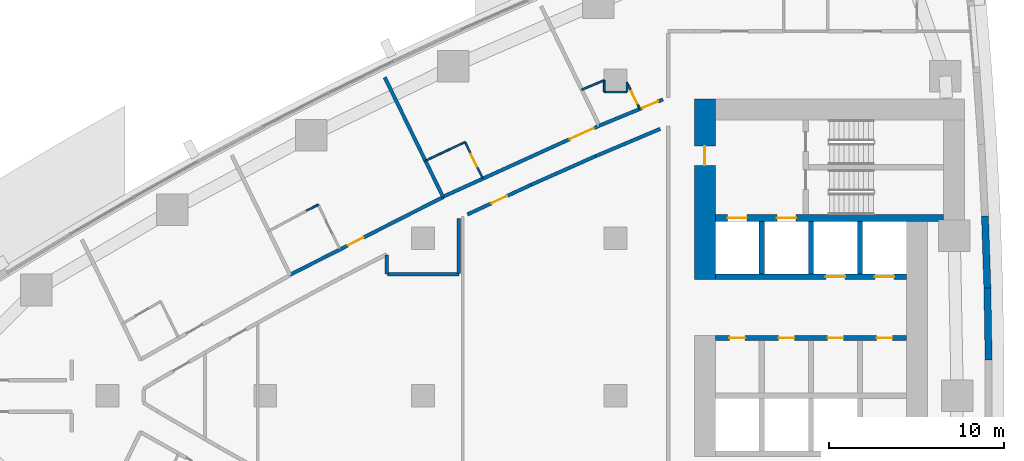
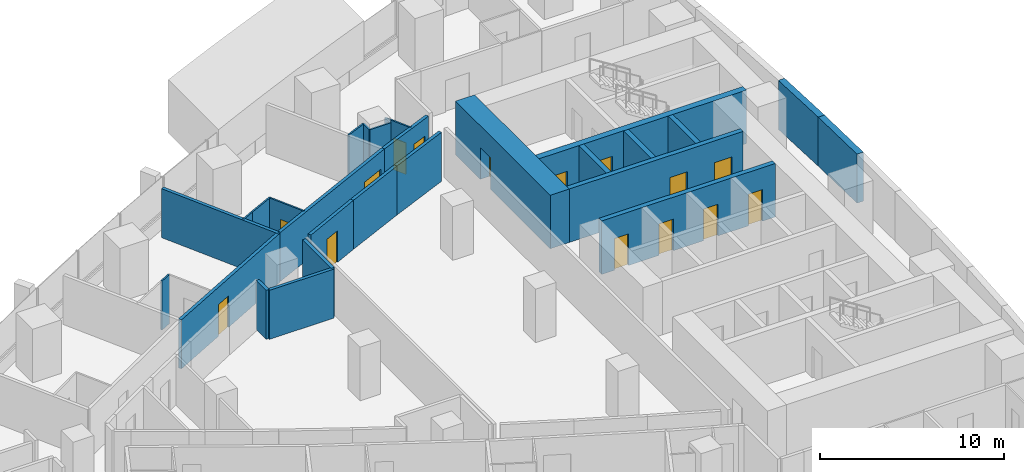
# One storey, part 12 of 19: 28 walls, 15 doors, 15 openings.
"""IFC4 building model written with IfcOpenShell, lengths in metres."""

from ifc_helpers import new_model, si_unit, direction, frame, frame_2d, origin, place, context, subcontext, project, spatial, polyline, rectangle, outline, extrude, material, layer, layer_set, type_object, element, fill, save


model = new_model("IFC4")

# Units and contexts
model_context = context("Model", 3, precision=1e-05, world=origin(), true_north=direction((0.0, 1.0)))
body_context = subcontext(model_context, "Body", "Model", "MODEL_VIEW")
ifc_project = project(units=[si_unit("LENGTHUNIT", "METRE"), si_unit("AREAUNIT", "SQUARE_METRE"), si_unit("VOLUMEUNIT", "CUBIC_METRE"), si_unit("PLANEANGLEUNIT", "RADIAN"), si_unit("MASSUNIT", "GRAM", prefix="KILO")], contexts=[model_context])

# Site, building, storey
site_placement = place(None, origin())
site = spatial("IfcSite", under=ifc_project, at=site_placement, CompositionType="ELEMENT")
building_placement = place(site_placement, origin())
building = spatial("IfcBuilding", under=site, at=building_placement, Name="Ostrand Prow Hotel Tower", CompositionType="ELEMENT")
storey_placement = place(building_placement, frame((0.0, 0.0, 60.89990234375)))
storey = spatial("IfcBuildingStorey", under=building, at=storey_placement, Name="L13", CompositionType="ELEMENT", Elevation=60.89990234375)

# Wall, opening, door
ifc_material_1 = material(Name="Concrete C80/95", Category="concrete")
ifc_layer_1 = layer(ifc_material_1, 1.199951171875)
ifc_layer_set_1 = layer_set([ifc_layer_1], Name="Concrete C80/95")
wall_type_1 = type_object("IfcWallType", Name="Core wall 1200 C80/95", PredefinedType="SHEAR", material=ifc_layer_set_1)
wall_1_placement = place(storey_placement, frame((50.10009765625, 6.64990234375, 0.0), z_axis=(0.0, 0.0, 1.0), x_axis=(0.0, 1.0, 0.0)))
wall_1 = element("IfcWall", 1, at=wall_1_placement, inside=storey, type_object=wall_type_1, Name="Core wall CW-W-N", PredefinedType="SHEAR", context=body_context, shape_type="SweptSolid", body=[
    extrude(rectangle(XDim=10.300048828125, YDim=1.199951171875, at=frame_2d((5.14990234375, 0.0))), origin(), (0.0, 0.0, 1.0), 3.550048828125),
])
opening_1_placement = place(wall_1_placement, frame((6.5, 0.0, 0.0)))
opening_1 = element("IfcOpeningElement", 2, at=opening_1_placement, cuts=wall_1, Name="Opening FD1", PredefinedType="OPENING", context=body_context, shape_type="SweptSolid", body=[
    extrude(rectangle(XDim=1.10009765625, YDim=2.10009765625, at=frame_2d((0.550048828125, 1.050048828125))), frame((0.0, 0.60986328125, 0.0), z_axis=(0.0, -1.0, 0.0), x_axis=(1.0, 0.0, 0.0)), (0.0, 0.0, 1.0), 1.219970703125),
])
ifc_material_2 = material(Name="Steel fire door", Category="steel")
door_type_1 = type_object("IfcDoorType", Name="Fire door 1100 EI120", OperationType="SINGLE_SWING_RIGHT", PredefinedType="DOOR", material=ifc_material_2)
door_1_placement = place(opening_1_placement, origin())
door_1 = element("IfcDoor", 3, at=door_1_placement, inside=storey, type_object=door_type_1, Name="FIRE DOOR", OperationType="SINGLE_SWING_RIGHT", OverallHeight=2.10009765625, OverallWidth=1.10009765625, PredefinedType="DOOR", context=body_context, shape_type="SweptSolid", body=[
    extrude(rectangle(XDim=1.10009765625, YDim=2.10009765625, at=frame_2d((0.550048828125, 1.050048828125))), frame((0.0, 0.02490234375, 0.0), z_axis=(0.0, -1.0, 0.0), x_axis=(1.0, 0.0, 0.0)), (0.0, 0.0, 1.0), 0.050048828125),
])
fill(opening_1, door_1)

# Wall, openings, doors
ifc_material_3 = material(Name="Concrete C80/95", Category="concrete")
ifc_layer_2 = layer(ifc_material_3, 0.300048828125)
ifc_layer_set_2 = layer_set([ifc_layer_2], Name="Concrete C80/95")
wall_type_2 = type_object("IfcWallType", Name="Core wall 300 C80/95", PredefinedType="SHEAR", material=ifc_layer_set_2)
wall_2_placement = place(storey_placement, frame((50.699951171875, 3.300048828125, 0.0), z_axis=(0.0, 0.0, 1.0), x_axis=(1.0, 0.0, 0.0)))
wall_2 = element("IfcWall", 4, at=wall_2_placement, inside=storey, type_object=wall_type_2, Name="Core wall PW-L1-N", PredefinedType="SHEAR", context=body_context, shape_type="SweptSolid", body=[
    extrude(rectangle(XDim=10.900146484375, YDim=0.300048828125, at=frame_2d((5.4501953125, 0.0))), origin(), (0.0, 0.0, 1.0), 3.550048828125),
])
opening_2_placement = place(wall_2_placement, frame((0.800048828125, 0.0, 0.0)))
opening_2 = element("IfcOpeningElement", 5, at=opening_2_placement, cuts=wall_2, Name="Opening FD2", PredefinedType="OPENING", context=body_context, shape_type="SweptSolid", body=[
    extrude(rectangle(XDim=0.89990234375, YDim=2.10009765625, at=frame_2d((0.449951171875, 1.050048828125))), frame((0.0, 0.159912109375, 0.0), z_axis=(0.0, -1.0, 0.0), x_axis=(1.0, 0.0, 0.0)), (0.0, 0.0, 1.0), 0.320068359375),
])
opening_3_placement = place(wall_2_placement, frame((3.60009765625, 0.0, 0.0)))
opening_3 = element("IfcOpeningElement", 6, at=opening_3_placement, cuts=wall_2, Name="Opening FD2", PredefinedType="OPENING", context=body_context, shape_type="SweptSolid", body=[
    extrude(rectangle(XDim=0.89990234375, YDim=2.10009765625, at=frame_2d((0.449951171875, 1.050048828125))), frame((0.0, 0.159912109375, 0.0), z_axis=(0.0, -1.0, 0.0), x_axis=(1.0, 0.0, 0.0)), (0.0, 0.0, 1.0), 0.320068359375),
])
opening_4_placement = place(wall_2_placement, frame((6.39990234375, 0.0, 0.0)))
opening_4 = element("IfcOpeningElement", 7, at=opening_4_placement, cuts=wall_2, Name="Opening FD2", PredefinedType="OPENING", context=body_context, shape_type="SweptSolid", body=[
    extrude(rectangle(XDim=0.89990234375, YDim=2.10009765625, at=frame_2d((0.449951171875, 1.050048828125))), frame((0.0, 0.159912109375, 0.0), z_axis=(0.0, -1.0, 0.0), x_axis=(1.0, 0.0, 0.0)), (0.0, 0.0, 1.0), 0.320068359375),
])
opening_5_placement = place(wall_2_placement, frame((9.199951171875, 0.0, 0.0)))
opening_5 = element("IfcOpeningElement", 8, at=opening_5_placement, cuts=wall_2, Name="Opening FD2", PredefinedType="OPENING", context=body_context, shape_type="SweptSolid", body=[
    extrude(rectangle(XDim=0.89990234375, YDim=2.10009765625, at=frame_2d((0.449951171875, 1.050048828125))), frame((0.0, 0.159912109375, 0.0), z_axis=(0.0, -1.0, 0.0), x_axis=(1.0, 0.0, 0.0)), (0.0, 0.0, 1.0), 0.320068359375),
])
ifc_material_4 = material(Name="Steel fire door", Category="steel")
door_type_2 = type_object("IfcDoorType", Name="Fire door 900 EI120", OperationType="SINGLE_SWING_LEFT", PredefinedType="DOOR", material=ifc_material_4)
door_2_placement = place(opening_2_placement, origin())
door_2 = element("IfcDoor", 9, at=door_2_placement, inside=storey, type_object=door_type_2, Name="DOOR", OperationType="SINGLE_SWING_LEFT", OverallHeight=2.10009765625, OverallWidth=0.89990234375, PredefinedType="DOOR", context=body_context, shape_type="SweptSolid", body=[
    extrude(rectangle(XDim=0.89990234375, YDim=2.10009765625, at=frame_2d((0.449951171875, 1.050048828125))), frame((0.0, 0.02490234375, 0.0), z_axis=(0.0, -1.0, 0.0), x_axis=(1.0, 0.0, 0.0)), (0.0, 0.0, 1.0), 0.050048828125),
])
fill(opening_2, door_2)
door_3_placement = place(opening_3_placement, origin())
door_3 = element("IfcDoor", 10, at=door_3_placement, inside=storey, type_object=door_type_2, Name="DOOR", OperationType="SINGLE_SWING_LEFT", OverallHeight=2.10009765625, OverallWidth=0.89990234375, PredefinedType="DOOR", context=body_context, shape_type="SweptSolid", body=[
    extrude(rectangle(XDim=0.89990234375, YDim=2.10009765625, at=frame_2d((0.449951171875, 1.050048828125))), frame((0.0, 0.02490234375, 0.0), z_axis=(0.0, -1.0, 0.0), x_axis=(1.0, 0.0, 0.0)), (0.0, 0.0, 1.0), 0.050048828125),
])
fill(opening_3, door_3)
door_4_placement = place(opening_4_placement, origin())
door_4 = element("IfcDoor", 11, at=door_4_placement, inside=storey, type_object=door_type_2, Name="DOOR", OperationType="SINGLE_SWING_LEFT", OverallHeight=2.10009765625, OverallWidth=0.89990234375, PredefinedType="DOOR", context=body_context, shape_type="SweptSolid", body=[
    extrude(rectangle(XDim=0.89990234375, YDim=2.10009765625, at=frame_2d((0.449951171875, 1.050048828125))), frame((0.0, 0.02490234375, 0.0), z_axis=(0.0, -1.0, 0.0), x_axis=(1.0, 0.0, 0.0)), (0.0, 0.0, 1.0), 0.050048828125),
])
fill(opening_4, door_4)
door_5_placement = place(opening_5_placement, origin())
door_5 = element("IfcDoor", 12, at=door_5_placement, inside=storey, type_object=door_type_2, Name="DOOR", OperationType="SINGLE_SWING_LEFT", OverallHeight=2.10009765625, OverallWidth=0.89990234375, PredefinedType="DOOR", context=body_context, shape_type="SweptSolid", body=[
    extrude(rectangle(XDim=0.89990234375, YDim=2.10009765625, at=frame_2d((0.449951171875, 1.050048828125))), frame((0.0, 0.02490234375, 0.0), z_axis=(0.0, -1.0, 0.0), x_axis=(1.0, 0.0, 0.0)), (0.0, 0.0, 1.0), 0.050048828125),
])
fill(opening_5, door_5)

wall_3_placement = place(storey_placement, frame((50.699951171875, 6.800048828125, 0.0), z_axis=(0.0, 0.0, 1.0), x_axis=(1.0, 0.0, 0.0)))
wall_3 = element("IfcWall", 13, at=wall_3_placement, inside=storey, type_object=wall_type_2, Name="Core wall PW-L2-N", PredefinedType="SHEAR", context=body_context, shape_type="SweptSolid", body=[
    extrude(rectangle(XDim=10.900146484375, YDim=0.300048828125, at=frame_2d((5.4501953125, 0.0))), origin(), (0.0, 0.0, 1.0), 3.550048828125),
])
opening_6_placement = place(wall_3_placement, frame((6.300048828125, 0.0, 0.0)))
opening_6 = element("IfcOpeningElement", 14, at=opening_6_placement, cuts=wall_3, Name="Opening LD", PredefinedType="OPENING", context=body_context, shape_type="SweptSolid", body=[
    extrude(rectangle(XDim=1.10009765625, YDim=2.10009765625, at=frame_2d((0.550048828125, 1.050048828125))), frame((0.0, 0.159912109375, 0.0), z_axis=(0.0, -1.0, 0.0), x_axis=(1.0, 0.0, 0.0)), (0.0, 0.0, 1.0), 0.320068359375),
])
opening_7_placement = place(wall_3_placement, frame((9.10009765625, 0.0, 0.0)))
opening_7 = element("IfcOpeningElement", 15, at=opening_7_placement, cuts=wall_3, Name="Opening LD", PredefinedType="OPENING", context=body_context, shape_type="SweptSolid", body=[
    extrude(rectangle(XDim=1.10009765625, YDim=2.10009765625, at=frame_2d((0.550048828125, 1.050048828125))), frame((0.0, 0.159912109375, 0.0), z_axis=(0.0, -1.0, 0.0), x_axis=(1.0, 0.0, 0.0)), (0.0, 0.0, 1.0), 0.320068359375),
])
ifc_material_5 = material(Name="Stainless steel door", Category="steel")
door_type_3 = type_object("IfcDoorType", Name="Lift landing door 1100", OperationType="DOUBLE_DOOR_SLIDING", PredefinedType="DOOR", material=ifc_material_5)
door_6_placement = place(opening_6_placement, origin())
door_6 = element("IfcDoor", 16, at=door_6_placement, inside=storey, type_object=door_type_3, Name="LIFT LANDING DOOR", OperationType="DOUBLE_DOOR_SLIDING", OverallHeight=2.10009765625, OverallWidth=1.10009765625, PredefinedType="DOOR", context=body_context, shape_type="SweptSolid", body=[
    extrude(rectangle(XDim=1.10009765625, YDim=2.10009765625, at=frame_2d((0.550048828125, 1.050048828125))), frame((0.0, 0.02490234375, 0.0), z_axis=(0.0, -1.0, 0.0), x_axis=(1.0, 0.0, 0.0)), (0.0, 0.0, 1.0), 0.050048828125),
])
fill(opening_6, door_6)
door_7_placement = place(opening_7_placement, origin())
door_7 = element("IfcDoor", 17, at=door_7_placement, inside=storey, type_object=door_type_3, Name="LIFT LANDING DOOR", OperationType="DOUBLE_DOOR_SLIDING", OverallHeight=2.10009765625, OverallWidth=1.10009765625, PredefinedType="DOOR", context=body_context, shape_type="SweptSolid", body=[
    extrude(rectangle(XDim=1.10009765625, YDim=2.10009765625, at=frame_2d((0.550048828125, 1.050048828125))), frame((0.0, 0.02490234375, 0.0), z_axis=(0.0, -1.0, 0.0), x_axis=(1.0, 0.0, 0.0)), (0.0, 0.0, 1.0), 0.050048828125),
])
fill(opening_7, door_7)

# Walls
for number, where, z_axis, x_axis, name in (
    (18, (53.35009765625, 6.949951171875, 0.0), (0.0, 0.0, 1.0), (0.0, 1.0, 0.0), "Core wall PW-R1-NA"),
    (19, (56.14990234375, 6.949951171875, 0.0), (0.0, 0.0, 1.0), (0.0, 1.0, 0.0), "Core wall PW-R2-NA"),
    (20, (58.949951171875, 6.949951171875, 0.0), (0.0, 0.0, 1.0), (0.0, 1.0, 0.0), "Core wall PW-R3-NA"),
):
    element("IfcWall", number, at=place(storey_placement, frame(where, z_axis=z_axis, x_axis=x_axis)), inside=storey, type_object=wall_type_2, Name=name, PredefinedType="SHEAR", context=body_context, shape_type="SweptSolid", body=[
        extrude(rectangle(XDim=3.0, YDim=0.300048828125, at=frame_2d((1.5, 0.0))), origin(), (0.0, 0.0, 1.0), 3.550048828125),
    ])

# Wall, openings, doors
ifc_material_6 = material(Name="Concrete C80/95", Category="concrete")
ifc_layer_3 = layer(ifc_material_6, 0.39990234375)
ifc_layer_set_3 = layer_set([ifc_layer_3], Name="Concrete C80/95")
wall_type_3 = type_object("IfcWallType", Name="Core wall 400 C80/95", PredefinedType="SHEAR", material=ifc_layer_set_3)
wall_4_placement = place(storey_placement, frame((50.699951171875, 10.14990234375, 0.0), z_axis=(0.0, 0.0, 1.0), x_axis=(1.0, 0.0, 0.0)))
wall_4 = element("IfcWall", 21, at=wall_4_placement, inside=storey, type_object=wall_type_3, Name="Core wall PW-BN", PredefinedType="SHEAR", context=body_context, shape_type="SweptSolid", body=[
    extrude(rectangle(XDim=13.02001953125, YDim=0.39990234375, at=frame_2d((6.510009765625, 0.0))), origin(), (0.0, 0.0, 1.0), 3.550048828125),
])
opening_8_placement = place(wall_4_placement, frame((0.699951171875, 0.0, 0.0)))
opening_8 = element("IfcOpeningElement", 22, at=opening_8_placement, cuts=wall_4, Name="Opening LD", PredefinedType="OPENING", context=body_context, shape_type="SweptSolid", body=[
    extrude(rectangle(XDim=1.10009765625, YDim=2.10009765625, at=frame_2d((0.550048828125, 1.050048828125))), frame((0.0, 0.2099609375, 0.0), z_axis=(0.0, -1.0, 0.0), x_axis=(1.0, 0.0, 0.0)), (0.0, 0.0, 1.0), 0.419921875),
])
opening_9_placement = place(wall_4_placement, frame((3.5, 0.0, 0.0)))
opening_9 = element("IfcOpeningElement", 23, at=opening_9_placement, cuts=wall_4, Name="Opening LD", PredefinedType="OPENING", context=body_context, shape_type="SweptSolid", body=[
    extrude(rectangle(XDim=1.10009765625, YDim=2.10009765625, at=frame_2d((0.550048828125, 1.050048828125))), frame((0.0, 0.2099609375, 0.0), z_axis=(0.0, -1.0, 0.0), x_axis=(1.0, 0.0, 0.0)), (0.0, 0.0, 1.0), 0.419921875),
])
door_8_placement = place(opening_8_placement, origin())
door_8 = element("IfcDoor", 24, at=door_8_placement, inside=storey, type_object=door_type_3, Name="LIFT LANDING DOOR", OperationType="DOUBLE_DOOR_SLIDING", OverallHeight=2.10009765625, OverallWidth=1.10009765625, PredefinedType="DOOR", context=body_context, shape_type="SweptSolid", body=[
    extrude(rectangle(XDim=1.10009765625, YDim=2.10009765625, at=frame_2d((0.550048828125, 1.050048828125))), frame((0.0, 0.02490234375, 0.0), z_axis=(0.0, -1.0, 0.0), x_axis=(1.0, 0.0, 0.0)), (0.0, 0.0, 1.0), 0.050048828125),
])
fill(opening_8, door_8)
door_9_placement = place(opening_9_placement, origin())
door_9 = element("IfcDoor", 25, at=door_9_placement, inside=storey, type_object=door_type_3, Name="LIFT LANDING DOOR", OperationType="DOUBLE_DOOR_SLIDING", OverallHeight=2.10009765625, OverallWidth=1.10009765625, PredefinedType="DOOR", context=body_context, shape_type="SweptSolid", body=[
    extrude(rectangle(XDim=1.10009765625, YDim=2.10009765625, at=frame_2d((0.550048828125, 1.050048828125))), frame((0.0, 0.02490234375, 0.0), z_axis=(0.0, -1.0, 0.0), x_axis=(1.0, 0.0, 0.0)), (0.0, 0.0, 1.0), 0.050048828125),
])
fill(opening_9, door_9)

# Walls
ifc_material_7 = material(Name="Plasterboard partition")
ifc_layer_4 = layer(ifc_material_7, 0.10009765625)
ifc_layer_set_4 = layer_set([ifc_layer_4], Name="Plasterboard partition")
wall_type_4 = type_object("IfcWallType", Name="Partition 100 bathroom wall", PredefinedType="PARTITIONING", material=ifc_layer_set_4)
wall_5_placement = place(storey_placement, frame((27.36328125, 10.56787109375, 0.0), z_axis=(0.0, 0.0, 1.0), x_axis=(0.890195653003, 0.455578422858, 0.0)))
element("IfcWall", 26, at=wall_5_placement, inside=storey, type_object=wall_type_4, Name="BATHROOM WALL", PredefinedType="PARTITIONING", context=body_context, shape_type="SweptSolid", body=[
    extrude(rectangle(XDim=0.745361328125, YDim=0.10009765625, at=frame_2d((0.37255859375, 0.0))), origin(), (0.0, 0.0, 1.0), 3.25),
])
wall_6_placement = place(storey_placement, frame((34.1484375, 13.41162109375, 0.0), z_axis=(0.0, 0.0, 1.0), x_axis=(0.89828999443, 0.43940310184, 0.0)))
element("IfcWall", 27, at=wall_6_placement, inside=storey, type_object=wall_type_4, Name="BATHROOM WALL", PredefinedType="PARTITIONING", context=body_context, shape_type="SweptSolid", body=[
    extrude(rectangle(XDim=0.839599609375, YDim=0.10009765625, at=frame_2d((0.419921875, 0.0))), origin(), (0.0, 0.0, 1.0), 3.25),
])
wall_7_placement = place(storey_placement, frame((34.902587890625, 13.780517578125, 0.0), z_axis=(0.0, 0.0, 1.0), x_axis=(0.906434605418, 0.422346192242, 0.0)))
element("IfcWall", 28, at=wall_7_placement, inside=storey, type_object=wall_type_4, Name="BATHROOM WALL", PredefinedType="PARTITIONING", context=body_context, shape_type="SweptSolid", body=[
    extrude(rectangle(XDim=1.66064453125, YDim=0.10009765625, at=frame_2d((0.830322265625, 0.0))), origin(), (0.0, 0.0, 1.0), 3.25),
])

# Wall, opening, door
wall_8_placement = place(storey_placement, frame((36.407958984375, 14.48193359375, 0.0), z_axis=(0.0, 0.0, 1.0), x_axis=(0.438271544149, -0.898842618921, 0.0)))
wall_8 = element("IfcWall", 29, at=wall_8_placement, inside=storey, type_object=wall_type_4, Name="BATHROOM WALL", PredefinedType="PARTITIONING", context=body_context, shape_type="SweptSolid", body=[
    extrude(rectangle(XDim=2.27734375, YDim=0.10009765625, at=frame_2d((1.138671875, 0.0))), origin(), (0.0, 0.0, 1.0), 3.25),
])
opening_10_placement = place(wall_8_placement, frame((0.75, 0.0, 0.0)))
opening_10 = element("IfcOpeningElement", 30, at=opening_10_placement, cuts=wall_8, Name="Opening D2", PredefinedType="OPENING", context=body_context, shape_type="SweptSolid", body=[
    extrude(rectangle(XDim=0.800048828125, YDim=2.10009765625, at=frame_2d((0.39990234375, 1.050048828125))), frame((0.0, 0.06005859375, 0.0), z_axis=(0.0, -1.0, 0.0), x_axis=(1.0, 0.0, 0.0)), (0.0, 0.0, 1.0), 0.1201171875),
])
ifc_material_8 = material(Name="Timber door leaf", Category="wood")
door_type_4 = type_object("IfcDoorType", Name="Bathroom door 800", OperationType="SINGLE_SWING_LEFT", PredefinedType="DOOR", material=ifc_material_8)
door_10_placement = place(opening_10_placement, origin())
door_10 = element("IfcDoor", 31, at=door_10_placement, inside=storey, type_object=door_type_4, Name="DOOR", OperationType="SINGLE_SWING_LEFT", OverallHeight=2.10009765625, OverallWidth=0.800048828125, PredefinedType="DOOR", context=body_context, shape_type="SweptSolid", body=[
    extrude(rectangle(XDim=0.800048828125, YDim=2.10009765625, at=frame_2d((0.39990234375, 1.050048828125))), frame((0.0, 0.02490234375, 0.0), z_axis=(0.0, -1.0, 0.0), x_axis=(1.0, 0.0, 0.0)), (0.0, 0.0, 1.0), 0.050048828125),
])
fill(opening_10, door_10)

# Walls
wall_9_placement = place(storey_placement, frame((43.071044921875, 17.47314453125, 0.0), z_axis=(0.0, 0.0, 1.0), x_axis=(0.921313965742, 0.388819465214, 0.0)))
element("IfcWall", 32, at=wall_9_placement, inside=storey, type_object=wall_type_4, Name="BATHROOM WALL", PredefinedType="PARTITIONING", context=body_context, shape_type="SweptSolid", body=[
    extrude(rectangle(XDim=1.38818359375, YDim=0.10009765625, at=frame_2d((0.694091796875, 0.0))), origin(), (0.0, 0.0, 1.0), 3.25),
])
wall_10_placement = place(storey_placement, frame((44.35009765625, 18.012939453125, 0.0), z_axis=(0.0, 0.0, 1.0), x_axis=(0.0, -1.0, 0.0)))
element("IfcWall", 33, at=wall_10_placement, inside=storey, type_object=wall_type_4, Name="BATHROOM WALL", PredefinedType="PARTITIONING", context=body_context, shape_type="SweptSolid", body=[
    extrude(rectangle(XDim=0.660888671875, YDim=0.10009765625, at=frame_2d((0.33056640625, 0.0))), origin(), (0.0, 0.0, 1.0), 3.25),
])
wall_11_placement = place(storey_placement, frame((44.35205078125, 17.35009765625, 0.0), z_axis=(0.0, 0.0, 1.0), x_axis=(1.0, 0.0, 0.0)))
element("IfcWall", 34, at=wall_11_placement, inside=storey, type_object=wall_type_4, Name="BATHROOM WALL", PredefinedType="PARTITIONING", context=body_context, shape_type="SweptSolid", body=[
    extrude(rectangle(XDim=1.2958984375, YDim=0.10009765625, at=frame_2d((0.64794921875, 0.0))), origin(), (0.0, 0.0, 1.0), 3.25),
])
wall_12_placement = place(storey_placement, frame((45.64990234375, 17.35205078125, 0.0), z_axis=(0.0, 0.0, 1.0), x_axis=(0.0, 1.0, 0.0)))
element("IfcWall", 35, at=wall_12_placement, inside=storey, type_object=wall_type_4, Name="BATHROOM WALL", PredefinedType="PARTITIONING", context=body_context, shape_type="SweptSolid", body=[
    extrude(rectangle(XDim=0.535888671875, YDim=0.10009765625, at=frame_2d((0.26806640625, 0.0))), origin(), (0.0, 0.0, 1.0), 3.25),
])

# Wall, opening, door
wall_13_placement = place(storey_placement, frame((45.64990234375, 17.887939453125, 0.0), z_axis=(0.0, 0.0, 1.0), x_axis=(0.438301838547, -0.89882784688, 0.0)))
wall_13 = element("IfcWall", 36, at=wall_13_placement, inside=storey, type_object=wall_type_4, Name="BATHROOM WALL", PredefinedType="PARTITIONING", context=body_context, shape_type="SweptSolid", body=[
    extrude(rectangle(XDim=1.65869140625, YDim=0.10009765625, at=frame_2d((0.829345703125, 0.0))), origin(), (0.0, 0.0, 1.0), 3.25),
])
opening_11_placement = place(wall_13_placement, frame((0.550048828125, 0.0, 0.0)))
opening_11 = element("IfcOpeningElement", 37, at=opening_11_placement, cuts=wall_13, Name="Opening D2", PredefinedType="OPENING", context=body_context, shape_type="SweptSolid", body=[
    extrude(rectangle(XDim=0.800048828125, YDim=2.10009765625, at=frame_2d((0.39990234375, 1.050048828125))), frame((0.0, 0.06005859375, 0.0), z_axis=(0.0, -1.0, 0.0), x_axis=(1.0, 0.0, 0.0)), (0.0, 0.0, 1.0), 0.1201171875),
])
door_11_placement = place(opening_11_placement, origin())
door_11 = element("IfcDoor", 38, at=door_11_placement, inside=storey, type_object=door_type_4, Name="DOOR", OperationType="SINGLE_SWING_LEFT", OverallHeight=2.10009765625, OverallWidth=0.800048828125, PredefinedType="DOOR", context=body_context, shape_type="SweptSolid", body=[
    extrude(rectangle(XDim=0.800048828125, YDim=2.10009765625, at=frame_2d((0.39990234375, 1.050048828125))), frame((0.0, 0.02490234375, 0.0), z_axis=(0.0, -1.0, 0.0), x_axis=(1.0, 0.0, 0.0)), (0.0, 0.0, 1.0), 0.050048828125),
])
fill(opening_11, door_11)

ifc_material_9 = material(Name="Plasterboard partition")
ifc_layer_5 = layer(ifc_material_9, 0.199951171875)
ifc_layer_set_5 = layer_set([ifc_layer_5], Name="Plasterboard partition")
wall_type_5 = type_object("IfcWallType", Name="Partition 200 corridor wall", PredefinedType="PARTITIONING", material=ifc_layer_set_5)
wall_14_placement = place(storey_placement, frame((26.41650390625, 6.907958984375, 0.0), z_axis=(0.0, 0.0, 1.0), x_axis=(0.891700643128, 0.452625632334, 0.0)))
wall_14 = element("IfcWall", 39, at=wall_14_placement, inside=storey, type_object=wall_type_5, Name="CORRIDOR WALL", PredefinedType="PARTITIONING", context=body_context, shape_type="SweptSolid", body=[
    extrude(rectangle(XDim=9.80126953125, YDim=0.199951171875, at=frame_2d((4.900634765625, 0.0))), origin(), (0.0, 0.0, 1.0), 3.25),
])
opening_12_placement = place(wall_14_placement, frame((3.699951171875, 0.0, 0.0)))
opening_12 = element("IfcOpeningElement", 40, at=opening_12_placement, cuts=wall_14, Name="Opening D1R", PredefinedType="OPENING", context=body_context, shape_type="SweptSolid", body=[
    extrude(rectangle(XDim=1.0, YDim=2.10009765625, at=frame_2d((0.5, 1.050048828125))), frame((0.0, 0.10986328125, 0.0), z_axis=(0.0, -1.0, 0.0), x_axis=(1.0, 0.0, 0.0)), (0.0, 0.0, 1.0), 0.219970703125),
])
ifc_material_10 = material(Name="Timber door leaf", Category="wood")
door_type_5 = type_object("IfcDoorType", Name="Guest room door 1000 right", OperationType="SINGLE_SWING_RIGHT", PredefinedType="DOOR", material=ifc_material_10)
door_12_placement = place(opening_12_placement, origin())
door_12 = element("IfcDoor", 41, at=door_12_placement, inside=storey, type_object=door_type_5, Name="DOOR", OperationType="SINGLE_SWING_RIGHT", OverallHeight=2.10009765625, OverallWidth=1.0, PredefinedType="DOOR", context=body_context, shape_type="SweptSolid", body=[
    extrude(rectangle(XDim=1.0, YDim=2.10009765625, at=frame_2d((0.5, 1.050048828125))), frame((0.0, 0.02490234375, 0.0), z_axis=(0.0, -1.0, 0.0), x_axis=(1.0, 0.0, 0.0)), (0.0, 0.0, 1.0), 0.050048828125),
])
fill(opening_12, door_12)

wall_15_placement = place(storey_placement, frame((44.071533203125, 15.420654296875, 0.0), z_axis=(0.0, 0.0, 1.0), x_axis=(-0.910287143541, -0.413977434534, 0.0)))
wall_15 = element("IfcWall", 42, at=wall_15_placement, inside=storey, type_object=wall_type_5, Name="CORRIDOR WALL", PredefinedType="PARTITIONING", context=body_context, shape_type="SweptSolid", body=[
    extrude(rectangle(XDim=9.80322265625, YDim=0.199951171875, at=frame_2d((4.901611328125, 0.0))), origin(), (0.0, 0.0, 1.0), 3.25),
])
opening_13_placement = place(wall_15_placement, frame((0.35009765625, 0.0, 0.0)))
opening_13 = element("IfcOpeningElement", 43, at=opening_13_placement, cuts=wall_15, Name="Opening D15", PredefinedType="OPENING", context=body_context, shape_type="SweptSolid", body=[
    extrude(rectangle(XDim=1.5, YDim=2.10009765625, at=frame_2d((0.75, 1.050048828125))), frame((0.0, 0.10986328125, 0.0), z_axis=(0.0, -1.0, 0.0), x_axis=(1.0, 0.0, 0.0)), (0.0, 0.0, 1.0), 0.219970703125),
])
ifc_material_11 = material(Name="Timber door leaf", Category="wood")
door_type_6 = type_object("IfcDoorType", Name="Double door 1500", OperationType="DOUBLE_DOOR_SINGLE_SWING", PredefinedType="DOOR", material=ifc_material_11)
door_13_placement = place(opening_13_placement, origin())
door_13 = element("IfcDoor", 44, at=door_13_placement, inside=storey, type_object=door_type_6, Name="DOOR", OperationType="DOUBLE_DOOR_SINGLE_SWING", OverallHeight=2.10009765625, OverallWidth=1.5, PredefinedType="DOOR", context=body_context, shape_type="SweptSolid", body=[
    extrude(rectangle(XDim=1.5, YDim=2.10009765625, at=frame_2d((0.75, 1.050048828125))), frame((0.0, 0.02490234375, 0.0), z_axis=(0.0, -1.0, 0.0), x_axis=(1.0, 0.0, 0.0)), (0.0, 0.0, 1.0), 0.050048828125),
])
fill(opening_13, door_13)

wall_16_placement = place(storey_placement, frame((36.5400390625, 10.35107421875, 0.0), z_axis=(0.0, 0.0, 1.0), x_axis=(0.906347708834, 0.42253263861, 0.0)))
wall_16 = element("IfcWall", 45, at=wall_16_placement, inside=storey, type_object=wall_type_5, Name="CORRIDOR WALL", PredefinedType="PARTITIONING", context=body_context, shape_type="SweptSolid", body=[
    extrude(rectangle(XDim=4.015625, YDim=0.199951171875, at=frame_2d((2.0078125, 0.0))), origin(), (0.0, 0.0, 1.0), 3.25),
])
opening_14_placement = place(wall_16_placement, frame((1.5078125, 0.0, 0.0)))
opening_14 = element("IfcOpeningElement", 46, at=opening_14_placement, cuts=wall_16, Name="Opening D1R", PredefinedType="OPENING", context=body_context, shape_type="SweptSolid", body=[
    extrude(rectangle(XDim=1.0, YDim=2.10009765625, at=frame_2d((0.5, 1.050048828125))), frame((0.0, 0.10986328125, 0.0), z_axis=(0.0, -1.0, 0.0), x_axis=(1.0, 0.0, 0.0)), (0.0, 0.0, 1.0), 0.219970703125),
])
door_14_placement = place(opening_14_placement, origin())
door_14 = element("IfcDoor", 47, at=door_14_placement, inside=storey, type_object=door_type_5, Name="DOOR", OperationType="SINGLE_SWING_RIGHT", OverallHeight=2.10009765625, OverallWidth=1.0, PredefinedType="DOOR", context=body_context, shape_type="SweptSolid", body=[
    extrude(rectangle(XDim=1.0, YDim=2.10009765625, at=frame_2d((0.5, 1.050048828125))), frame((0.0, 0.02490234375, 0.0), z_axis=(0.0, -1.0, 0.0), x_axis=(1.0, 0.0, 0.0)), (0.0, 0.0, 1.0), 0.050048828125),
])
fill(opening_14, door_14)

# Walls
wall_17_placement = place(storey_placement, frame((40.1796875, 12.0478515625, 0.0), z_axis=(0.0, 0.0, 1.0), x_axis=(0.913986953061, 0.405743576209, 0.0)))
element("IfcWall", 48, at=wall_17_placement, inside=storey, type_object=wall_type_5, Name="CORRIDOR WALL", PredefinedType="PARTITIONING", context=body_context, shape_type="SweptSolid", body=[
    extrude(rectangle(XDim=4.015869140625, YDim=0.199951171875, at=frame_2d((2.0078125, 0.0))), origin(), (0.0, 0.0, 1.0), 3.25),
])
wall_18_placement = place(storey_placement, frame((43.85009765625, 13.67724609375, 0.0), z_axis=(0.0, 0.0, 1.0), x_axis=(0.921269894054, 0.388923877269, 0.0)))
element("IfcWall", 49, at=wall_18_placement, inside=storey, type_object=wall_type_5, Name="CORRIDOR WALL", PredefinedType="PARTITIONING", context=body_context, shape_type="SweptSolid", body=[
    extrude(rectangle(XDim=4.015625, YDim=0.199951171875, at=frame_2d((2.0078125, 0.0))), origin(), (0.0, 0.0, 1.0), 3.25),
])

# Wall, opening, door
wall_19_placement = place(storey_placement, frame((47.703857421875, 16.91748046875, 0.0), z_axis=(0.0, 0.0, 1.0), x_axis=(-0.924573816857, -0.381002962169, 0.0)))
wall_19 = element("IfcWall", 50, at=wall_19_placement, inside=storey, type_object=wall_type_5, Name="CORRIDOR WALL", PredefinedType="PARTITIONING", context=body_context, shape_type="SweptSolid", body=[
    extrude(rectangle(XDim=3.9287109375, YDim=0.199951171875, at=frame_2d((1.96435546875, 0.0))), origin(), (0.0, 0.0, 1.0), 3.25),
])
opening_15_placement = place(wall_19_placement, frame((0.300048828125, 0.0, 0.0)))
opening_15 = element("IfcOpeningElement", 51, at=opening_15_placement, cuts=wall_19, Name="Opening D1R", PredefinedType="OPENING", context=body_context, shape_type="SweptSolid", body=[
    extrude(rectangle(XDim=1.0, YDim=2.10009765625, at=frame_2d((0.5, 1.050048828125))), frame((0.0, 0.10986328125, 0.0), z_axis=(0.0, -1.0, 0.0), x_axis=(1.0, 0.0, 0.0)), (0.0, 0.0, 1.0), 0.219970703125),
])
door_15_placement = place(opening_15_placement, origin())
door_15 = element("IfcDoor", 52, at=door_15_placement, inside=storey, type_object=door_type_5, Name="DOOR", OperationType="SINGLE_SWING_RIGHT", OverallHeight=2.10009765625, OverallWidth=1.0, PredefinedType="DOOR", context=body_context, shape_type="SweptSolid", body=[
    extrude(rectangle(XDim=1.0, YDim=2.10009765625, at=frame_2d((0.5, 1.050048828125))), frame((0.0, 0.02490234375, 0.0), z_axis=(0.0, -1.0, 0.0), x_axis=(1.0, 0.0, 0.0)), (0.0, 0.0, 1.0), 0.050048828125),
])
fill(opening_15, door_15)

# Walls
wall_20_placement = place(storey_placement, frame((31.945068359375, 8.037353515625, 0.0), z_axis=(0.0, 0.0, 1.0), x_axis=(0.003129875123, -0.999995101929, 0.0)))
element("IfcWall", 53, at=wall_20_placement, inside=storey, type_object=wall_type_5, Name="CORRIDOR WALL", PredefinedType="PARTITIONING", context=body_context, shape_type="SweptSolid", body=[
    extrude(rectangle(XDim=1.092041015625, YDim=0.199951171875, at=frame_2d((0.5458984375, 0.0))), origin(), (0.0, 0.0, 1.0), 3.25),
])
wall_21_placement = place(storey_placement, frame((31.988525390625, 6.9453125, 0.0), z_axis=(0.0, 0.0, 1.0), x_axis=(0.999999998196, 6.0074492e-05, 0.0)))
element("IfcWall", 54, at=wall_21_placement, inside=storey, type_object=wall_type_5, Name="CORRIDOR WALL", PredefinedType="PARTITIONING", context=body_context, shape_type="SweptSolid", body=[
    extrude(rectangle(XDim=4.06396484375, YDim=0.199951171875, at=frame_2d((2.031982421875, 0.0))), origin(), (0.0, 0.0, 1.0), 3.25),
])
wall_22_placement = place(storey_placement, frame((36.052490234375, 6.985595703125, 0.0), z_axis=(0.0, 0.0, 1.0), x_axis=(0.000781799464, 0.999999694395, 0.0)))
element("IfcWall", 55, at=wall_22_placement, inside=storey, type_object=wall_type_5, Name="CORRIDOR WALL", PredefinedType="PARTITIONING", context=body_context, shape_type="SweptSolid", body=[
    extrude(rectangle(XDim=3.122802734375, YDim=0.199951171875, at=frame_2d((1.5615234375, 0.0))), origin(), (0.0, 0.0, 1.0), 3.25),
])
ifc_material_12 = material(Name="Plasterboard partition")
ifc_layer_6 = layer(ifc_material_12, 0.199951171875)
ifc_layer_set_6 = layer_set([ifc_layer_6], Name="Plasterboard partition")
wall_type_6 = type_object("IfcWallType", Name="Partition 200 key partition", PredefinedType="PARTITIONING", material=ifc_layer_set_6)
wall_23_placement = place(storey_placement, frame((35.15625, 11.34423828125, 0.0), z_axis=(0.0, 0.0, 1.0), x_axis=(-0.438196407286, 0.898879251425, 0.0)))
element("IfcWall", 56, at=wall_23_placement, inside=storey, type_object=wall_type_6, Name="KEY PARTITION", PredefinedType="PARTITIONING", context=body_context, shape_type="SweptSolid", body=[
    extrude(rectangle(XDim=7.60009765625, YDim=0.199951171875, at=frame_2d((3.800048828125, 0.0))), origin(), (0.0, 0.0, 1.0), 3.25),
])
ifc_material_13 = material(Name="Precast concrete C40/50", Category="concrete")
ifc_layer_7 = layer(ifc_material_13, 0.39990234375)
ifc_layer_set_7 = layer_set([ifc_layer_7], Name="Precast concrete C40/50")
wall_type_7 = type_object("IfcWallType", Name="Stone-faced precast wall 400 mm", PredefinedType="NOTDEFINED", material=ifc_layer_set_7)
for number, where, z_axis, x_axis, name in (
    (57, (66.29150390625, 2.052490234375, 0.0), (0.0, 0.0, 1.0), (-0.016830829972, 0.999858351549, 0.0), "Stone-faced wall back 11"),
    (58, (66.222412109375, 6.156982421875, 0.0), (0.0, 0.0, 1.0), (-0.033542554696, 0.999437290191, 0.0), "Stone-faced wall back 12"),
):
    element("IfcWall", number, at=place(storey_placement, frame(where, z_axis=z_axis, x_axis=x_axis)), inside=storey, type_object=wall_type_7, Name=name, PredefinedType="NOTDEFINED", context=body_context, shape_type="SweptSolid", body=[
        extrude(outline(polyline([(-0.001708984375, -0.199951171875), (4.106689453125, -0.199951171875), (4.103271484375, 0.199951171875), (0.001708984375, 0.199951171875), (-0.001708984375, -0.199951171875)])), origin(), (0.0, 0.0, 1.0), 3.25),
    ])

save(model, "model.ifc")
